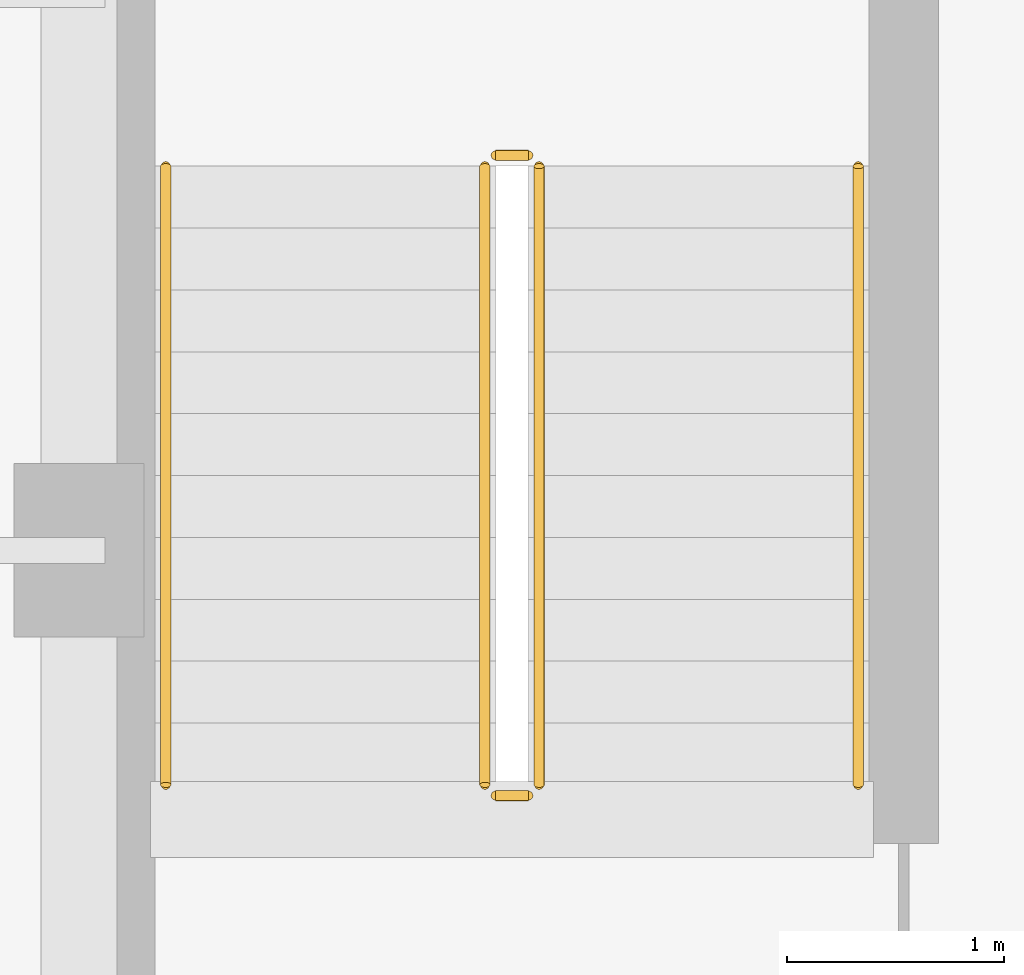
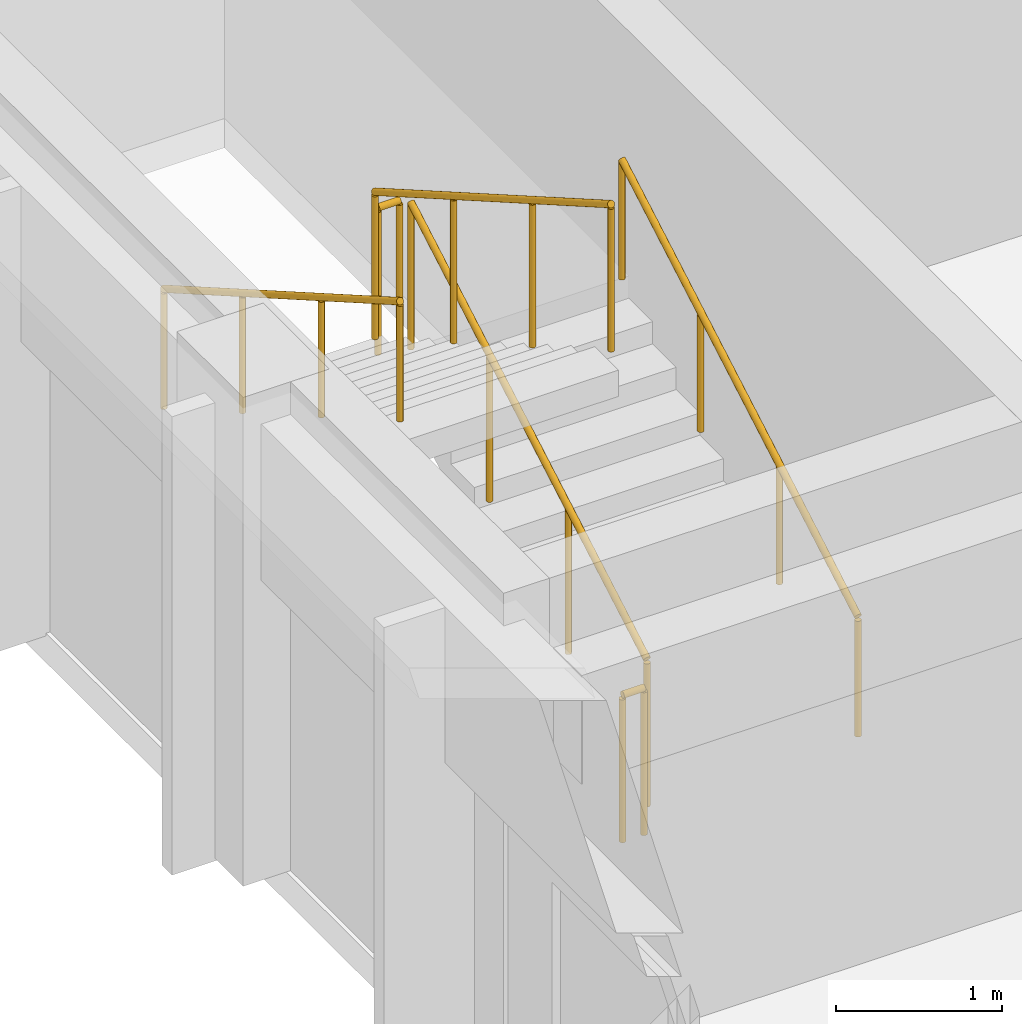
# One storey, part 66 of 77: 6 railings.
"""IFC4 building model written with IfcOpenShell, lengths in metres."""

from ifc_helpers import new_model, si_unit, direction, frame, origin, origin_2d, place, context, subcontext, project, spatial, circle, extrude, material, type_object, element, save


model = new_model("IFC4")

# Units and contexts
model_context = context("Model", 3, precision=1e-05, world=origin(), true_north=direction((0.0, 1.0)))
body_context = subcontext(model_context, "Body", "Model", "MODEL_VIEW")
ifc_project = project(units=[si_unit("LENGTHUNIT", "METRE"), si_unit("AREAUNIT", "SQUARE_METRE"), si_unit("VOLUMEUNIT", "CUBIC_METRE"), si_unit("PLANEANGLEUNIT", "RADIAN"), si_unit("MASSUNIT", "GRAM", prefix="KILO")], contexts=[model_context])

# Site, building, storey
site_placement = place(None, origin())
site = spatial("IfcSite", under=ifc_project, at=site_placement, CompositionType="ELEMENT")
building_placement = place(site_placement, origin())
building = spatial("IfcBuilding", under=site, at=building_placement, Name="Larkveld Mobility Hub", CompositionType="ELEMENT")
storey_placement = place(building_placement, frame((0.0, 0.0, 12.0)))
storey = spatial("IfcBuildingStorey", under=building, at=storey_placement, Name="L03", CompositionType="ELEMENT", Elevation=12.0)

# Railings
ifc_material_1 = material(Name="Galvanized Steel S355JR balustrade", Category="steel")
railing_type_1 = type_object("IfcRailingType", Name="RL-GRD-1100", PredefinedType="GUARDRAIL", material=ifc_material_1)
railing_1_placement = place(storey_placement, frame((114.1201171875, 47.919921875, 0.16357421875)))
element("IfcRailing", 1, at=railing_1_placement, inside=storey, type_object=railing_type_1, Name="L03 ST3 stair guard 1", PredefinedType="GUARDRAIL", context=body_context, shape_type="SweptSolid", body=[
    extrude(circle(Radius=0.02392578125, at=origin_2d()), frame((0.0, 0.0, 1.076171875), z_axis=(0.0, 0.86721270334, 0.497937874806), x_axis=(-1.0, 0.0, 0.0)), (0.0, 0.0, 1.0), 3.28662109375),
    extrude(circle(Radius=0.02099609375, at=origin_2d()), origin(), (0.0, 0.0, 1.0), 1.052001953125),
    extrude(circle(Radius=0.02099609375, at=origin_2d()), frame((0.0, 0.949951171875, 0.54541015625)), (0.0, 0.0, 1.0), 1.052001953125),
    extrude(circle(Radius=0.02099609375, at=origin_2d()), frame((0.0, 1.900146484375, 1.091064453125)), (0.0, 0.0, 1.0), 1.052001953125),
    extrude(circle(Radius=0.02099609375, at=origin_2d()), frame((0.0, 2.85009765625, 1.636474609375)), (0.0, 0.0, 1.0), 1.052001953125),
])
railing_2_placement = place(storey_placement, frame((114.070068359375, 50.820068359375, 1.800048828125)))
element("IfcRailing", 2, at=railing_2_placement, inside=storey, type_object=railing_type_1, Name="L03 ST3 stair guard 2", PredefinedType="GUARDRAIL", context=body_context, shape_type="SweptSolid", body=[
    extrude(circle(Radius=0.02392578125, at=origin_2d()), frame((0.0, 0.0, 1.076171875), z_axis=(-1.0, 0.0, 0.0), x_axis=(0.0, -1.0, 0.0)), (0.0, 0.0, 1.0), 0.150146484375),
    extrude(circle(Radius=0.02099609375, at=origin_2d()), origin(), (0.0, 0.0, 1.0), 1.052001953125),
    extrude(circle(Radius=0.02099609375, at=origin_2d()), frame((-0.150146484375, 0.0, 0.0)), (0.0, 0.0, 1.0), 1.052001953125),
])
railing_3_placement = place(storey_placement, frame((113.8701171875, 50.77001953125, 1.963623046875)))
element("IfcRailing", 3, at=railing_3_placement, inside=storey, type_object=railing_type_1, Name="L03 ST3 stair guard 3", PredefinedType="GUARDRAIL", context=body_context, shape_type="SweptSolid", body=[
    extrude(circle(Radius=0.02392578125, at=origin_2d()), frame((0.0, 0.0, 1.076171875), z_axis=(0.0, -0.86721270334, 0.497937874806), x_axis=(1.0, 0.0, 0.0)), (0.0, 0.0, 1.0), 3.28662109375),
    extrude(circle(Radius=0.02099609375, at=origin_2d()), origin(), (0.0, 0.0, 1.0), 1.052001953125),
    extrude(circle(Radius=0.02099609375, at=origin_2d()), frame((0.0, -0.949951171875, 0.54541015625)), (0.0, 0.0, 1.0), 1.052001953125),
    extrude(circle(Radius=0.02099609375, at=origin_2d()), frame((0.0, -1.900146484375, 1.091064453125)), (0.0, 0.0, 1.0), 1.052001953125),
    extrude(circle(Radius=0.02099609375, at=origin_2d()), frame((0.0, -2.85009765625, 1.636474609375)), (0.0, 0.0, 1.0), 1.052001953125),
])
railing_4_placement = place(storey_placement, frame((114.070068359375, 47.8701171875, 0.0)))
element("IfcRailing", 4, at=railing_4_placement, inside=storey, type_object=railing_type_1, Name="L03 ST3 stair guard 4", PredefinedType="GUARDRAIL", context=body_context, shape_type="SweptSolid", body=[
    extrude(circle(Radius=0.02392578125, at=origin_2d()), frame((0.0, 0.0, 1.076171875), z_axis=(-1.0, 0.0, 0.0), x_axis=(0.0, -1.0, 0.0)), (0.0, 0.0, 1.0), 0.150146484375),
    extrude(circle(Radius=0.02099609375, at=origin_2d()), origin(), (0.0, 0.0, 1.0), 1.052001953125),
    extrude(circle(Radius=0.02099609375, at=origin_2d()), frame((-0.150146484375, 0.0, 0.0)), (0.0, 0.0, 1.0), 1.052001953125),
])
ifc_material_2 = material(Name="Brushed Steel S355JR tubular handrail", Category="steel")
railing_type_2 = type_object("IfcRailingType", Name="RL-HND-0900", PredefinedType="HANDRAIL", material=ifc_material_2)
railing_5_placement = place(storey_placement, frame((115.590087890625, 47.919921875, 0.16357421875)))
element("IfcRailing", 5, at=railing_5_placement, inside=storey, type_object=railing_type_2, Name="L03 ST3 stair handrail 1", PredefinedType="HANDRAIL", context=body_context, shape_type="SweptSolid", body=[
    extrude(circle(Radius=0.02392578125, at=origin_2d()), frame((0.0, 0.0, 0.8759765625), z_axis=(0.0, 0.86721270334, 0.497937874806), x_axis=(-1.0, 0.0, 0.0)), (0.0, 0.0, 1.0), 3.28662109375),
    extrude(circle(Radius=0.02099609375, at=origin_2d()), origin(), (0.0, 0.0, 1.0), 0.851806640625),
    extrude(circle(Radius=0.02099609375, at=origin_2d()), frame((0.0, 0.949951171875, 0.54541015625)), (0.0, 0.0, 1.0), 0.851806640625),
    extrude(circle(Radius=0.02099609375, at=origin_2d()), frame((0.0, 1.900146484375, 1.091064453125)), (0.0, 0.0, 1.0), 0.851806640625),
    extrude(circle(Radius=0.02099609375, at=origin_2d()), frame((0.0, 2.85009765625, 1.636474609375)), (0.0, 0.0, 1.0), 0.851806640625),
])
railing_6_placement = place(storey_placement, frame((112.39990234375, 50.77001953125, 1.963623046875)))
element("IfcRailing", 6, at=railing_6_placement, inside=storey, type_object=railing_type_2, Name="L03 ST3 stair handrail 2", PredefinedType="HANDRAIL", context=body_context, shape_type="SweptSolid", body=[
    extrude(circle(Radius=0.02392578125, at=origin_2d()), frame((0.0, 0.0, 0.8759765625), z_axis=(0.0, -0.86721270334, 0.497937874806), x_axis=(1.0, 0.0, 0.0)), (0.0, 0.0, 1.0), 3.28662109375),
    extrude(circle(Radius=0.02099609375, at=origin_2d()), origin(), (0.0, 0.0, 1.0), 0.851806640625),
    extrude(circle(Radius=0.02099609375, at=origin_2d()), frame((0.0, -0.949951171875, 0.54541015625)), (0.0, 0.0, 1.0), 0.851806640625),
    extrude(circle(Radius=0.02099609375, at=origin_2d()), frame((0.0, -1.900146484375, 1.091064453125)), (0.0, 0.0, 1.0), 0.851806640625),
    extrude(circle(Radius=0.02099609375, at=origin_2d()), frame((0.0, -2.85009765625, 1.636474609375)), (0.0, 0.0, 1.0), 0.851806640625),
])

save(model, "model.ifc")
